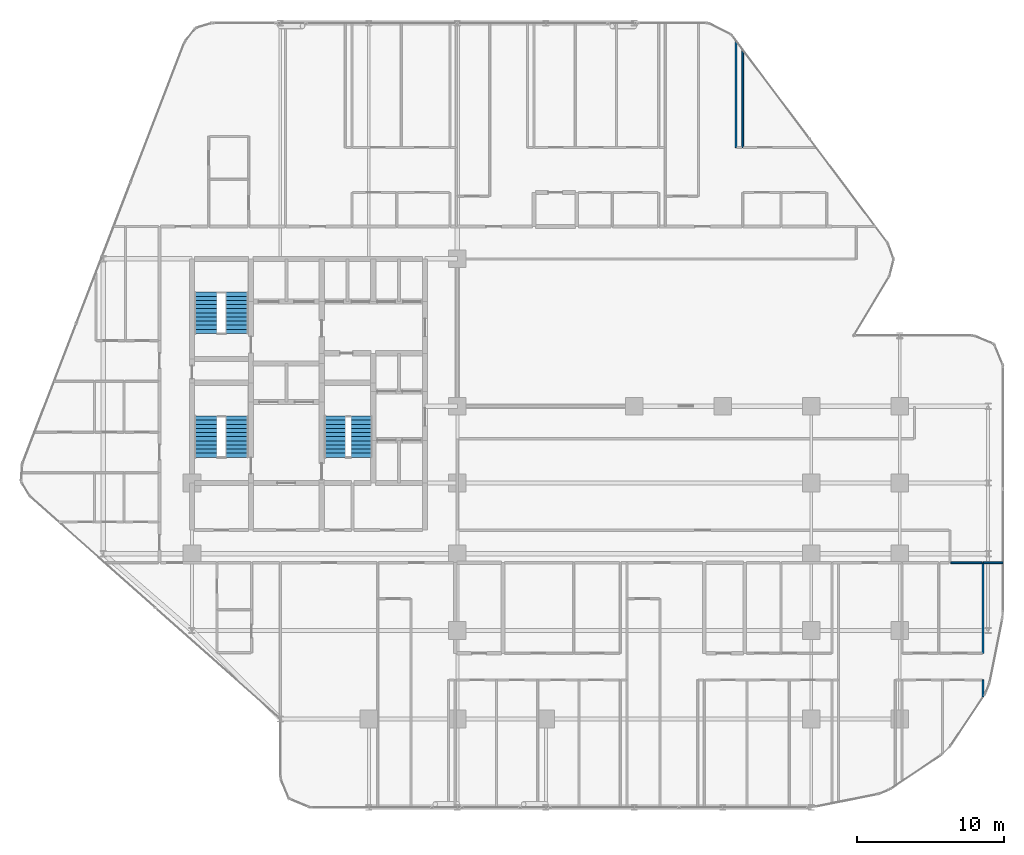
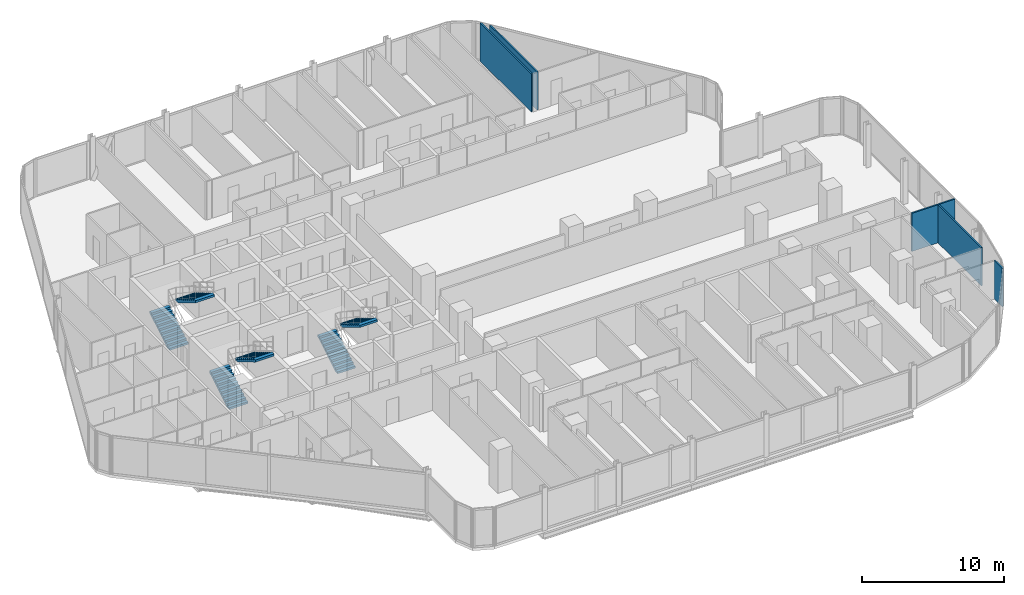
# One storey, part 32 of 33: 6 stair flights, 6 walls, 3 elements without a shape of their own.
"""IFC4 building model written with IfcOpenShell, lengths in metres."""

from ifc_helpers import new_model, si_unit, direction, frame, frame_2d, origin, place, context, subcontext, project, spatial, polyline, rectangle, outline, extrude, material, layer, layer_set, type_object, element, aggregate, save


model = new_model("IFC4")

# Units and contexts
model_context = context("Model", 3, precision=1e-05, world=origin(), true_north=direction((0.0, 1.0)))
body_context = subcontext(model_context, "Body", "Model", "MODEL_VIEW")
ifc_project = project(units=[si_unit("LENGTHUNIT", "METRE"), si_unit("AREAUNIT", "SQUARE_METRE"), si_unit("VOLUMEUNIT", "CUBIC_METRE"), si_unit("PLANEANGLEUNIT", "RADIAN"), si_unit("MASSUNIT", "GRAM", prefix="KILO")], contexts=[model_context])

# Site, building, storey
site_placement = place(None, origin())
site = spatial("IfcSite", under=ifc_project, at=site_placement, CompositionType="ELEMENT")
building_placement = place(site_placement, origin())
building = spatial("IfcBuilding", under=site, at=building_placement, Name="Keshet Zoharim Tower", CompositionType="ELEMENT")
storey_placement = place(building_placement, frame((0.0, 0.0, 57.300048828125)))
storey = spatial("IfcBuildingStorey", under=building, at=storey_placement, Name="L13", CompositionType="ELEMENT", Elevation=57.300048828125)

# Walls
ifc_material_1 = material(Name="Gypsum Plasterboard", Category="gypsum")
ifc_layer_1 = layer(ifc_material_1, 0.1201171875)
ifc_layer_set_1 = layer_set([ifc_layer_1], Name="Gypsum Plasterboard")
wall_type_1 = type_object("IfcWallType", Name="WL-PART-120", PredefinedType="PARTITIONING", material=ifc_layer_set_1)
wall_1_placement = place(storey_placement, frame((51.89990234375, 45.449951171875, 0.0), z_axis=(0.0, 0.0, 1.0), x_axis=(0.0, 1.0, 0.0)))
element("IfcWall", 1, at=wall_1_placement, inside=storey, type_object=wall_type_1, Name="L13 Interior Wall 103", PredefinedType="PARTITIONING", context=body_context, shape_type="SweptSolid", body=[
    extrude(rectangle(XDim=7.239990234375, YDim=0.1201171875, at=frame_2d((3.6201171875, 0.0))), origin(), (0.0, 0.0, 1.0), 3.280029296875),
])
wall_2_placement = place(storey_placement, frame((52.35009765625, 45.449951171875, 0.0), z_axis=(0.0, 0.0, 1.0), x_axis=(0.0, 1.0, 0.0)))
element("IfcWall", 2, at=wall_2_placement, inside=storey, type_object=wall_type_1, Name="L13 Interior Wall 105", PredefinedType="PARTITIONING", context=body_context, shape_type="SweptSolid", body=[
    extrude(rectangle(XDim=6.64013671875, YDim=0.1201171875, at=frame_2d((3.320068359375, 0.0))), origin(), (0.0, 0.0, 1.0), 3.280029296875),
])
wall_3_placement = place(storey_placement, frame((68.64990234375, 8.196044921875, 0.0), z_axis=(0.0, 0.0, 1.0), x_axis=(0.0, 1.0, 0.0)))
element("IfcWall", 3, at=wall_3_placement, inside=storey, type_object=wall_type_1, Name="L13 Interior Wall 123", PredefinedType="PARTITIONING", context=body_context, shape_type="SweptSolid", body=[
    extrude(rectangle(XDim=1.154052734375, YDim=0.1201171875, at=frame_2d((0.5771484375, 0.0))), origin(), (0.0, 0.0, 1.0), 3.280029296875),
])
wall_4_placement = place(storey_placement, frame((68.676025390625, 17.300048828125, 0.0), z_axis=(0.0, 0.0, 1.0), x_axis=(1.0, 0.0, 0.0)))
element("IfcWall", 4, at=wall_4_placement, inside=storey, type_object=wall_type_1, Name="L13 Interior Wall 162", PredefinedType="PARTITIONING", context=body_context, shape_type="SweptSolid", body=[
    extrude(rectangle(XDim=1.31396484375, YDim=0.1201171875, at=frame_2d((0.656982421875, 0.0))), origin(), (0.0, 0.0, 1.0), 3.280029296875),
])
ifc_layer_2 = layer(ifc_material_1, 0.1201171875)
ifc_layer_set_2 = layer_set([ifc_layer_2], Name="Gypsum Plasterboard")
wall_type_2 = type_object("IfcWallType", Name="WL-WET-120", PredefinedType="PARTITIONING", material=ifc_layer_set_2)
wall_5_placement = place(storey_placement, frame((68.64990234375, 11.14990234375, 0.0), z_axis=(0.0, 0.0, 1.0), x_axis=(0.0, 1.0, 0.0)))
element("IfcWall", 5, at=wall_5_placement, inside=storey, type_object=wall_type_2, Name="L13 Interior Wall 124", PredefinedType="PARTITIONING", context=body_context, shape_type="SweptSolid", body=[
    extrude(rectangle(XDim=6.150146484375, YDim=0.1201171875, at=frame_2d((3.0751953125, 0.0))), origin(), (0.0, 0.0, 1.0), 3.280029296875),
])
wall_6_placement = place(storey_placement, frame((66.469970703125, 17.300048828125, 0.0), z_axis=(0.0, 0.0, 1.0), x_axis=(1.0, 0.0, 0.0)))
element("IfcWall", 6, at=wall_6_placement, inside=storey, type_object=wall_type_2, Name="L13 Interior Wall 161", PredefinedType="PARTITIONING", context=body_context, shape_type="SweptSolid", body=[
    extrude(rectangle(XDim=2.115966796875, YDim=0.1201171875, at=frame_2d((1.05810546875, 0.0))), origin(), (0.0, 0.0, 1.0), 3.280029296875),
])

# Stair, stair flights
ifc_material_2 = material(Name="Concrete C50/60", Category="concrete")
stair_type = type_object("IfcStairType", Name="STR-EXIT-135", PredefinedType="HALF_TURN_STAIR", material=ifc_material_2)
stair_1_placement = place(storey_placement, origin())
stair_1 = element("IfcStair", 7, at=stair_1_placement, inside=storey, type_object=stair_type, Name="L13 Enclosed Exit Stair ST-01", PredefinedType="HALF_TURN_STAIR")
stair_flight_type_1 = type_object("IfcStairFlightType", Name="FLT-PRE-135", PredefinedType="STRAIGHT", material=ifc_material_2)
stair_flight_1_placement = place(storey_placement, frame((15.945068359375, 24.43994140625, 0.0), z_axis=(0.0, 0.0, 1.0), x_axis=(0.0, 1.0, 0.0)))
stair_flight_1 = element("IfcStairFlight", 8, at=stair_flight_1_placement, type_object=stair_flight_type_1, Name="ST-01 flight 1", NumberOfRisers=11, NumberOfTreads=10, PredefinedType="STRAIGHT", RiserHeight=0.168182, TreadLength=0.28, context=body_context, shape_type="SweptSolid", body=[
    extrude(outline(polyline([(0.0, 0.0), (0.0, 0.168212890625), (0.280029296875, 0.168212890625), (0.280029296875, 0.33642578125), (0.56005859375, 0.33642578125), (0.56005859375, 0.504638671875), (0.840087890625, 0.504638671875), (0.840087890625, 0.672607421875), (1.1201171875, 0.672607421875), (1.1201171875, 0.8408203125), (1.39990234375, 0.8408203125), (1.39990234375, 1.009033203125), (1.679931640625, 1.009033203125), (1.679931640625, 1.17724609375), (1.9599609375, 1.17724609375), (1.9599609375, 1.345458984375), (2.239990234375, 1.345458984375), (2.239990234375, 1.513671875), (2.52001953125, 1.513671875), (2.52001953125, 1.681884765625), (2.800048828125, 1.681884765625), (2.800048828125, 1.85009765625), (2.800048828125, 1.495361328125), (0.310546875, 0.0), (0.0, 0.0)])), frame((0.0, 0.76513671875, 0.0), z_axis=(0.0, -1.0, 0.0), x_axis=(1.0, 0.0, 0.0)), (0.0, 0.0, 1.0), 1.530029296875),
])
stair_flight_2_placement = place(storey_placement, frame((18.054931640625, 27.239990234375, 1.849853515625), z_axis=(0.0, 0.0, 1.0), x_axis=(0.0, -1.0, 0.0)))
stair_flight_2 = element("IfcStairFlight", 9, at=stair_flight_2_placement, type_object=stair_flight_type_1, Name="ST-01 flight 2", NumberOfRisers=11, NumberOfTreads=10, PredefinedType="STRAIGHT", RiserHeight=0.168182, TreadLength=0.28, context=body_context, shape_type="SweptSolid", body=[
    extrude(outline(polyline([(0.0, 0.0), (0.0, 0.168212890625), (0.280029296875, 0.168212890625), (0.280029296875, 0.33642578125), (0.56005859375, 0.33642578125), (0.56005859375, 0.504638671875), (0.840087890625, 0.504638671875), (0.840087890625, 0.672607421875), (1.1201171875, 0.672607421875), (1.1201171875, 0.8408203125), (1.39990234375, 0.8408203125), (1.39990234375, 1.009033203125), (1.679931640625, 1.009033203125), (1.679931640625, 1.17724609375), (1.9599609375, 1.17724609375), (1.9599609375, 1.345458984375), (2.239990234375, 1.345458984375), (2.239990234375, 1.513671875), (2.52001953125, 1.513671875), (2.52001953125, 1.681884765625), (2.800048828125, 1.681884765625), (2.800048828125, 1.85009765625), (2.800048828125, 1.495361328125), (0.310546875, 0.0), (0.0, 0.0)])), frame((0.0, 0.76513671875, 0.0), z_axis=(0.0, -1.0, 0.0), x_axis=(1.0, 0.0, 0.0)), (0.0, 0.0, 1.0), 1.530029296875),
])
aggregate(stair_1, [stair_flight_1, stair_flight_2])

stair_2_placement = place(storey_placement, origin())
stair_2 = element("IfcStair", 10, at=stair_2_placement, inside=storey, type_object=stair_type, Name="L13 Enclosed Exit Stair ST-02", PredefinedType="HALF_TURN_STAIR")
stair_flight_3_placement = place(storey_placement, frame((15.945068359375, 32.840087890625, 0.0), z_axis=(0.0, 0.0, 1.0), x_axis=(0.0, 1.0, 0.0)))
stair_flight_3 = element("IfcStairFlight", 11, at=stair_flight_3_placement, type_object=stair_flight_type_1, Name="ST-02 flight 1", NumberOfRisers=11, NumberOfTreads=10, PredefinedType="STRAIGHT", RiserHeight=0.168182, TreadLength=0.28, context=body_context, shape_type="SweptSolid", body=[
    extrude(outline(polyline([(0.0, 0.0), (0.0, 0.168212890625), (0.280029296875, 0.168212890625), (0.280029296875, 0.33642578125), (0.56005859375, 0.33642578125), (0.56005859375, 0.504638671875), (0.840087890625, 0.504638671875), (0.840087890625, 0.672607421875), (1.1201171875, 0.672607421875), (1.1201171875, 0.8408203125), (1.39990234375, 0.8408203125), (1.39990234375, 1.009033203125), (1.679931640625, 1.009033203125), (1.679931640625, 1.17724609375), (1.9599609375, 1.17724609375), (1.9599609375, 1.345458984375), (2.239990234375, 1.345458984375), (2.239990234375, 1.513671875), (2.52001953125, 1.513671875), (2.52001953125, 1.681884765625), (2.800048828125, 1.681884765625), (2.800048828125, 1.85009765625), (2.800048828125, 1.495361328125), (0.310546875, 0.0), (0.0, 0.0)])), frame((0.0, 0.76513671875, 0.0), z_axis=(0.0, -1.0, 0.0), x_axis=(1.0, 0.0, 0.0)), (0.0, 0.0, 1.0), 1.530029296875),
])
stair_flight_4_placement = place(storey_placement, frame((18.054931640625, 35.639892578125, 1.849853515625), z_axis=(0.0, 0.0, 1.0), x_axis=(0.0, -1.0, 0.0)))
stair_flight_4 = element("IfcStairFlight", 12, at=stair_flight_4_placement, type_object=stair_flight_type_1, Name="ST-02 flight 2", NumberOfRisers=11, NumberOfTreads=10, PredefinedType="STRAIGHT", RiserHeight=0.168182, TreadLength=0.28, context=body_context, shape_type="SweptSolid", body=[
    extrude(outline(polyline([(0.0, 0.0), (0.0, 0.168212890625), (0.280029296875, 0.168212890625), (0.280029296875, 0.33642578125), (0.56005859375, 0.33642578125), (0.56005859375, 0.504638671875), (0.840087890625, 0.504638671875), (0.840087890625, 0.672607421875), (1.1201171875, 0.672607421875), (1.1201171875, 0.8408203125), (1.39990234375, 0.8408203125), (1.39990234375, 1.009033203125), (1.679931640625, 1.009033203125), (1.679931640625, 1.17724609375), (1.9599609375, 1.17724609375), (1.9599609375, 1.345458984375), (2.239990234375, 1.345458984375), (2.239990234375, 1.513671875), (2.52001953125, 1.513671875), (2.52001953125, 1.681884765625), (2.800048828125, 1.681884765625), (2.800048828125, 1.85009765625), (2.800048828125, 1.495361328125), (0.310546875, 0.0), (0.0, 0.0)])), frame((0.0, 0.76513671875, 0.0), z_axis=(0.0, -1.0, 0.0), x_axis=(1.0, 0.0, 0.0)), (0.0, 0.0, 1.0), 1.530029296875),
])
aggregate(stair_2, [stair_flight_3, stair_flight_4])

stair_3_placement = place(storey_placement, origin())
stair_3 = element("IfcStair", 13, at=stair_3_placement, inside=storey, type_object=stair_type, Name="L13 Enclosed Exit Stair ST-03", PredefinedType="HALF_TURN_STAIR")
stair_flight_type_2 = type_object("IfcStairFlightType", Name="FLT-PRE-144", PredefinedType="STRAIGHT", material=ifc_material_2)
stair_flight_5_placement = place(storey_placement, frame((24.699951171875, 24.43994140625, 0.0), z_axis=(0.0, 0.0, 1.0), x_axis=(0.0, 1.0, 0.0)))
stair_flight_5 = element("IfcStairFlight", 14, at=stair_flight_5_placement, type_object=stair_flight_type_2, Name="ST-03 flight 1", NumberOfRisers=11, NumberOfTreads=10, PredefinedType="STRAIGHT", RiserHeight=0.168182, TreadLength=0.28, context=body_context, shape_type="SweptSolid", body=[
    extrude(outline(polyline([(0.0, 0.0), (0.0, 0.168212890625), (0.280029296875, 0.168212890625), (0.280029296875, 0.33642578125), (0.56005859375, 0.33642578125), (0.56005859375, 0.504638671875), (0.840087890625, 0.504638671875), (0.840087890625, 0.672607421875), (1.1201171875, 0.672607421875), (1.1201171875, 0.8408203125), (1.39990234375, 0.8408203125), (1.39990234375, 1.009033203125), (1.679931640625, 1.009033203125), (1.679931640625, 1.17724609375), (1.9599609375, 1.17724609375), (1.9599609375, 1.345458984375), (2.239990234375, 1.345458984375), (2.239990234375, 1.513671875), (2.52001953125, 1.513671875), (2.52001953125, 1.681884765625), (2.800048828125, 1.681884765625), (2.800048828125, 1.85009765625), (2.800048828125, 1.495361328125), (0.310546875, 0.0), (0.0, 0.0)])), frame((0.0, 0.719970703125, 0.0), z_axis=(0.0, -1.0, 0.0), x_axis=(1.0, 0.0, 0.0)), (0.0, 0.0, 1.0), 1.43994140625),
])
stair_flight_6_placement = place(storey_placement, frame((26.5, 27.239990234375, 1.849853515625), z_axis=(0.0, 0.0, 1.0), x_axis=(0.0, -1.0, 0.0)))
stair_flight_6 = element("IfcStairFlight", 15, at=stair_flight_6_placement, type_object=stair_flight_type_2, Name="ST-03 flight 2", NumberOfRisers=11, NumberOfTreads=10, PredefinedType="STRAIGHT", RiserHeight=0.168182, TreadLength=0.28, context=body_context, shape_type="SweptSolid", body=[
    extrude(outline(polyline([(0.0, 0.0), (0.0, 0.168212890625), (0.280029296875, 0.168212890625), (0.280029296875, 0.33642578125), (0.56005859375, 0.33642578125), (0.56005859375, 0.504638671875), (0.840087890625, 0.504638671875), (0.840087890625, 0.672607421875), (1.1201171875, 0.672607421875), (1.1201171875, 0.8408203125), (1.39990234375, 0.8408203125), (1.39990234375, 1.009033203125), (1.679931640625, 1.009033203125), (1.679931640625, 1.17724609375), (1.9599609375, 1.17724609375), (1.9599609375, 1.345458984375), (2.239990234375, 1.345458984375), (2.239990234375, 1.513671875), (2.52001953125, 1.513671875), (2.52001953125, 1.681884765625), (2.800048828125, 1.681884765625), (2.800048828125, 1.85009765625), (2.800048828125, 1.495361328125), (0.310546875, 0.0), (0.0, 0.0)])), frame((0.0, 0.719970703125, 0.0), z_axis=(0.0, -1.0, 0.0), x_axis=(1.0, 0.0, 0.0)), (0.0, 0.0, 1.0), 1.43994140625),
])
aggregate(stair_3, [stair_flight_5, stair_flight_6])

save(model, "model.ifc")
